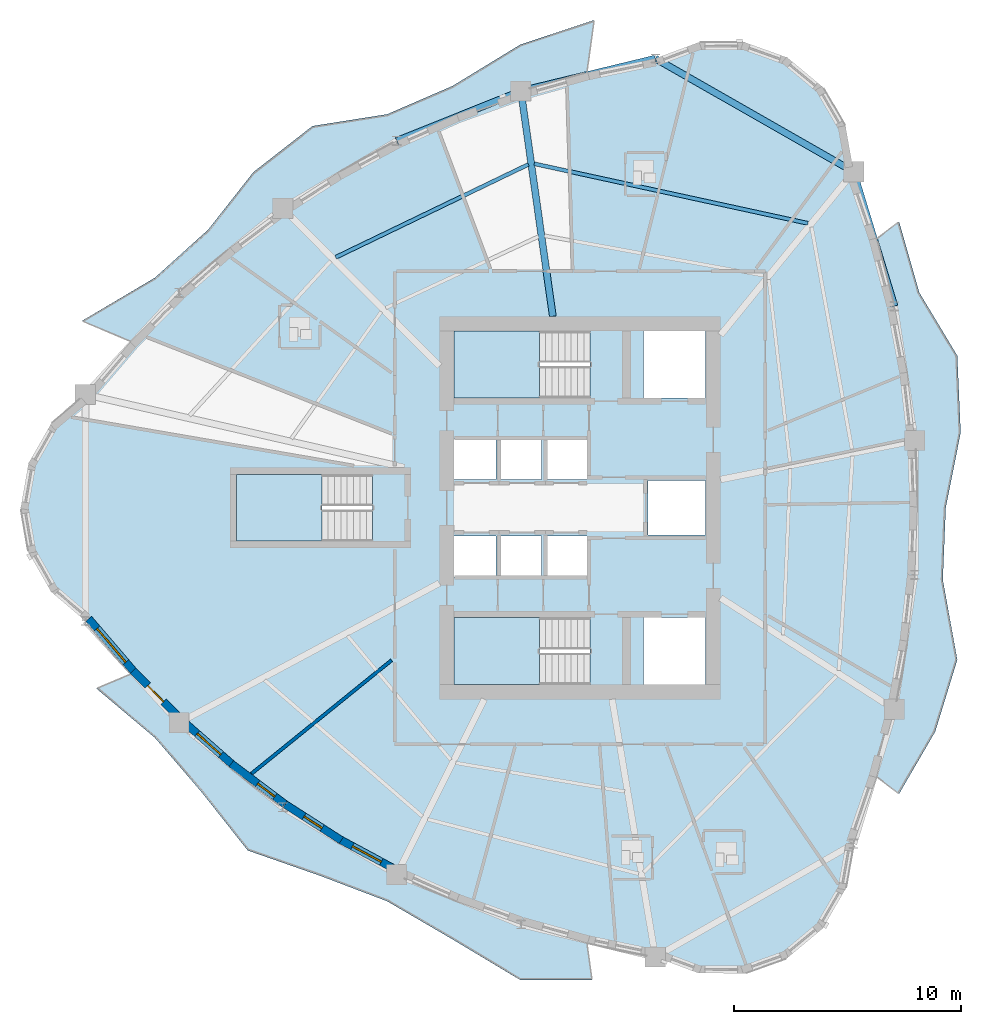
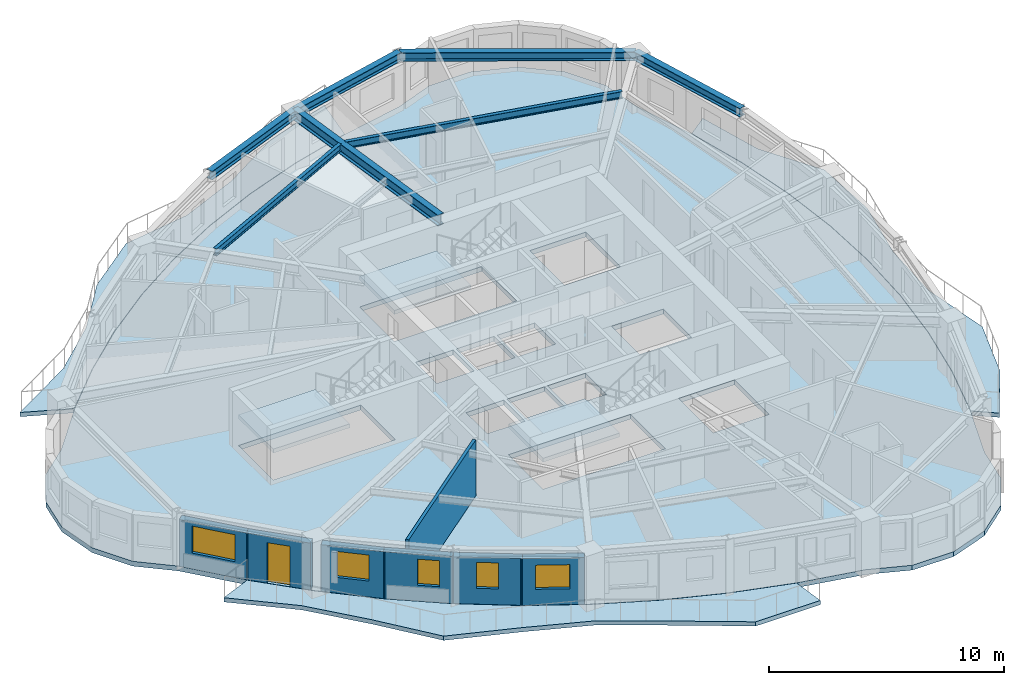
# One storey, part 2 of 12: 7 beams, 7 slabs, 7 walls, 5 windows, 1 door, 6 openings, 3 elements without a shape of their own.
"""IFC4 building model written with IfcOpenShell, lengths in metres."""

from ifc_helpers import new_model, si_unit, direction, frame, frame_2d, origin, origin_2d, place, context, subcontext, project, spatial, polyline, rectangle, i_section, outline, extrude, source, transform, mapped, material, layer, layer_set, material_profile, profile_set, type_object, element, fill, aggregate, save


model = new_model("IFC4")

# Units and contexts
model_context = context("Model", 3, precision=1e-05, world=origin(), true_north=direction((0.0, 1.0)))
body_context = subcontext(model_context, "Body", "Model", "MODEL_VIEW")
ifc_project = project(units=[si_unit("LENGTHUNIT", "METRE"), si_unit("AREAUNIT", "SQUARE_METRE"), si_unit("VOLUMEUNIT", "CUBIC_METRE"), si_unit("PLANEANGLEUNIT", "RADIAN"), si_unit("MASSUNIT", "GRAM", prefix="KILO")], contexts=[model_context])

# Site, building, storey
site_placement = place(None, origin())
site = spatial("IfcSite", under=ifc_project, at=site_placement, CompositionType="ELEMENT")
building_placement = place(site_placement, origin())
building = spatial("IfcBuilding", under=site, at=building_placement, Name="Qafzar Sky-Pleat Residences", CompositionType="ELEMENT")
storey_placement = place(building_placement, frame((0.0, 0.0, 124.800048828125)))
storey = spatial("IfcBuildingStorey", under=building, at=storey_placement, Name="L37", CompositionType="ELEMENT", Elevation=124.800048828125)

# Beams
ifc_material_1 = material(Name="Steel S355", Category="steel")
ifc_material_profile_1 = material_profile(ifc_material_1, i_section(OverallWidth=0.300048828125, OverallDepth=0.449951171875, WebThickness=0.013916015625, FlangeThickness=0.02587890625, FilletRadius=0.027099609375, at=origin_2d()), Name="HEB 450")
ifc_profile_set_1 = profile_set([ifc_material_profile_1], Name="Steel S355")
beam_type_1 = type_object("IfcBeamType", Name="BM-SPAN-HEB450", PredefinedType="SPANDREL", material=ifc_profile_set_1)
shared_shape_1 = source(origin(), body_context, "Body", "SweptSolid", [
    extrude(i_section(OverallWidth=0.300048828125, OverallDepth=0.449951171875, WebThickness=0.013916015625, FlangeThickness=0.02587890625, FilletRadius=0.027099609375, at=origin_2d()), origin(), (0.0, 0.0, 1.0), 6.1025390625),
])
beam_1_placement = place(storey_placement, frame((33.6767578125, 45.82373046875, 2.6728515625), z_axis=(-0.971900047669, -0.235393919506, 0.0), x_axis=(0.235393919506, -0.971900047669, 0.0)))
element("IfcBeam", 1, at=beam_1_placement, inside=storey, type_object=beam_type_1, Name="L37 Perimeter Spandrel Beam 14", PredefinedType="SPANDREL", context=body_context, shape_type="MappedRepresentation", body=[
    mapped(shared_shape_1, transform((0.0, 0.0, 0.0), x_axis=(1.0, 0.0, 0.0), y_axis=(0.0, 1.0, 0.0), z_axis=(0.0, 0.0, 1.0), scale=1.0)),
])
shared_shape_2 = source(origin(), body_context, "Body", "SweptSolid", [
    extrude(i_section(OverallWidth=0.300048828125, OverallDepth=0.449951171875, WebThickness=0.013916015625, FlangeThickness=0.02587890625, FilletRadius=0.027099609375, at=origin_2d()), origin(), (0.0, 0.0, 1.0), 5.906005859375),
])
beam_2_placement = place(storey_placement, frame((27.74560546875, 44.38720703125, 2.6728515625), z_axis=(-0.927965498351, -0.372666115807, 0.0), x_axis=(0.372666115807, -0.927965498351, 0.0)))
element("IfcBeam", 2, at=beam_2_placement, inside=storey, type_object=beam_type_1, Name="L37 Perimeter Spandrel Beam 15", PredefinedType="SPANDREL", context=body_context, shape_type="MappedRepresentation", body=[
    mapped(shared_shape_2, transform((0.0, 0.0, 0.0), x_axis=(1.0, 0.0, 0.0), y_axis=(0.0, 1.0, 0.0), z_axis=(0.0, 0.0, 1.0), scale=1.0)),
])
shared_shape_3 = source(origin(), body_context, "Body", "SweptSolid", [
    extrude(i_section(OverallWidth=0.300048828125, OverallDepth=0.449951171875, WebThickness=0.013916015625, FlangeThickness=0.02587890625, FilletRadius=0.027099609375, at=origin_2d()), origin(), (0.0, 0.0, 1.0), 10.072265625),
])
beam_3_placement = place(storey_placement, frame((42.422607421875, 40.82763671875, 2.6728515625), z_axis=(-0.868308765909, 0.496024079099, 0.0), x_axis=(-0.496024079099, -0.868308765909, 0.0)))
element("IfcBeam", 3, at=beam_3_placement, inside=storey, type_object=beam_type_1, Name="L37 Perimeter Spandrel Beam 13", PredefinedType="SPANDREL", context=body_context, shape_type="MappedRepresentation", body=[
    mapped(shared_shape_3, transform((0.0, 0.0, 0.0), x_axis=(1.0, 0.0, 0.0), y_axis=(0.0, 1.0, 0.0), z_axis=(0.0, 0.0, 1.0), scale=1.0)),
])
shared_shape_4 = source(origin(), body_context, "Body", "SweptSolid", [
    extrude(i_section(OverallWidth=0.300048828125, OverallDepth=0.449951171875, WebThickness=0.013916015625, FlangeThickness=0.02587890625, FilletRadius=0.027099609375, at=origin_2d()), origin(), (0.0, 0.0, 1.0), 6.19921875),
])
beam_4_placement = place(storey_placement, frame((44.2255859375, 34.896484375, 2.6728515625), z_axis=(-0.290843469518, 0.956770649758, 0.0), x_axis=(-0.956770649758, -0.290843469518, 0.0)))
element("IfcBeam", 4, at=beam_4_placement, inside=storey, type_object=beam_type_1, Name="L37 Perimeter Spandrel Beam 12", PredefinedType="SPANDREL", context=body_context, shape_type="MappedRepresentation", body=[
    mapped(shared_shape_4, transform((0.0, 0.0, 0.0), x_axis=(1.0, 0.0, 0.0), y_axis=(0.0, 1.0, 0.0), z_axis=(0.0, 0.0, 1.0), scale=1.0)),
])
ifc_material_profile_2 = material_profile(ifc_material_1, i_section(OverallWidth=0.300048828125, OverallDepth=0.550048828125, WebThickness=0.014892578125, FlangeThickness=0.029052734375, FilletRadius=0.027099609375, at=origin_2d()), Name="HEB 550")
ifc_profile_set_2 = profile_set([ifc_material_profile_2], Name="Steel S355")
beam_type_2 = type_object("IfcBeamType", Name="BM-GIRD-HEB550", PredefinedType="BEAM", material=ifc_profile_set_2)
shared_shape_5 = source(origin(), body_context, "Body", "SweptSolid", [
    extrude(i_section(OverallWidth=0.300048828125, OverallDepth=0.550048828125, WebThickness=0.014892578125, FlangeThickness=0.029052734375, FilletRadius=0.027099609375, at=origin_2d()), origin(), (0.0, 0.0, 1.0), 10.036376953125),
])
beam_5_placement = place(storey_placement, frame((27.74560546875, 44.38720703125, 2.623046875), z_axis=(0.14023611981, -0.99011808927, 0.0), x_axis=(0.99011808927, 0.14023611981, 0.0)))
element("IfcBeam", 5, at=beam_5_placement, inside=storey, type_object=beam_type_2, Name="L37 Radial Floor Girder 15", PredefinedType="BEAM", context=body_context, shape_type="MappedRepresentation", body=[
    mapped(shared_shape_5, transform((0.0, 0.0, 0.0), x_axis=(1.0, 0.0, 0.0), y_axis=(0.0, 1.0, 0.0), z_axis=(0.0, 0.0, 1.0), scale=1.0)),
])
ifc_material_profile_3 = material_profile(ifc_material_1, i_section(OverallWidth=0.169921875, OverallDepth=0.360107421875, WebThickness=0.008056640625, FlangeThickness=0.0126953125, FilletRadius=0.01806640625, at=origin_2d()), Name="IPE 360")
ifc_profile_set_3 = profile_set([ifc_material_profile_3], Name="Steel S355")
beam_type_3 = type_object("IfcBeamType", Name="BM-JST-IPE360", PredefinedType="JOIST", material=ifc_profile_set_3)
shared_shape_6 = source(origin(), body_context, "Body", "SweptSolid", [
    extrude(i_section(OverallWidth=0.169921875, OverallDepth=0.360107421875, WebThickness=0.008056640625, FlangeThickness=0.0126953125, FilletRadius=0.01806640625, at=origin_2d()), origin(), (0.0, 0.0, 1.0), 12.366455078125),
])
beam_6_placement = place(storey_placement, frame((40.411376953125, 38.54833984375, 2.718017578125), z_axis=(-0.977117170905, 0.212701749694, 0.0), x_axis=(-0.212701749694, -0.977117170905, 0.0)))
element("IfcBeam", 6, at=beam_6_placement, inside=storey, type_object=beam_type_3, Name="L37 Outer Secondary Floor Joist 7", PredefinedType="JOIST", context=body_context, shape_type="MappedRepresentation", body=[
    mapped(shared_shape_6, transform((0.0, 0.0, 0.0), x_axis=(1.0, 0.0, 0.0), y_axis=(0.0, 1.0, 0.0), z_axis=(0.0, 0.0, 1.0), scale=1.0)),
])
shared_shape_7 = source(origin(), body_context, "Body", "SweptSolid", [
    extrude(i_section(OverallWidth=0.169921875, OverallDepth=0.360107421875, WebThickness=0.008056640625, FlangeThickness=0.0126953125, FilletRadius=0.01806640625, at=origin_2d()), origin(), (0.0, 0.0, 1.0), 9.441162109375),
])
beam_7_placement = place(storey_placement, frame((28.07421875, 41.148681640625, 2.718017578125), z_axis=(-0.900788551734, -0.43425797064, 0.0), x_axis=(0.43425797064, -0.900788551734, 0.0)))
element("IfcBeam", 7, at=beam_7_placement, inside=storey, type_object=beam_type_3, Name="L37 Outer Secondary Floor Joist 8", PredefinedType="JOIST", context=body_context, shape_type="MappedRepresentation", body=[
    mapped(shared_shape_7, transform((0.0, 0.0, 0.0), x_axis=(1.0, 0.0, 0.0), y_axis=(0.0, 1.0, 0.0), z_axis=(0.0, 0.0, 1.0), scale=1.0)),
])

# Slabs
ifc_material_2 = material(Name="Concrete C40/50", Category="concrete")
ifc_layer_1 = layer(ifc_material_2, 0.219970703125)
ifc_layer_set_1 = layer_set([ifc_layer_1], Name="Concrete C40/50")
slab_type_1 = type_object("IfcSlabType", Name="SLAB-BAL-220", PredefinedType="USERDEFINED", material=ifc_layer_set_1)
slab_1_placement = place(storey_placement, frame((0.0, 0.0, -0.219970703125)))
element("IfcSlab", 8, at=slab_1_placement, inside=storey, type_object=slab_type_1, Name="L37 Pleated Stone Balcony 1", ObjectType="BALCONY", PredefinedType="USERDEFINED", context=body_context, shape_type="SweptSolid", body=[
    extrude(outline(polyline([(44.236083984375, 17.09765625), (44.80029296875, 20.06494140625), (45.138916015625, 23.032470703125), (45.251708984375, 26.0), (45.138916015625, 28.967529296875), (44.80029296875, 31.93505859375), (44.236083984375, 34.90234375), (43.4462890625, 37.869384765625), (44.427978515625, 38.623779296875), (45.321533203125, 35.49755859375), (46.998046875, 32.71142578125), (47.14697265625, 29.315185546875), (46.48974609375, 26.0), (46.35888671875, 22.8212890625), (46.998046875, 19.28857421875), (46.02294921875, 16.117919921875), (44.427978515625, 13.376220703125), (43.4462890625, 14.130615234375), (44.236083984375, 17.09765625)])), origin(), (0.0, 0.0, 1.0), 0.219970703125),
])
slab_2_placement = place(storey_placement, frame((0.0, 0.0, -0.219970703125)))
element("IfcSlab", 9, at=slab_2_placement, inside=storey, type_object=slab_type_1, Name="L37 Pleated Stone Balcony 2", ObjectType="BALCONY", PredefinedType="USERDEFINED", context=body_context, shape_type="SweptSolid", body=[
    extrude(outline(polyline([(27.745361328125, 44.3994140625), (24.947021484375, 43.394287109375), (22.26123046875, 42.197509765625), (19.68798828125, 40.8095703125), (17.22802734375, 39.22998046875), (14.880859375, 37.459228515625), (12.646484375, 35.4970703125), (10.525390625, 33.343505859375), (8.376708984375, 34.24658203125), (11.59375, 36.148193359375), (13.948486328125, 38.273681640625), (15.94140625, 40.810546875), (18.54736328125, 42.842041015625), (21.847900390625, 43.364501953125), (24.73291015625, 44.613525390625), (27.717041015625, 46.43701171875), (30.9755859375, 47.521728515625), (30.656494140625, 45.212890625), (27.745361328125, 44.3994140625)])), origin(), (0.0, 0.0, 1.0), 0.219970703125),
])
slab_3_placement = place(storey_placement, frame((0.0, 0.0, -0.219970703125)))
element("IfcSlab", 10, at=slab_3_placement, inside=storey, type_object=slab_type_1, Name="L37 Pleated Stone Balcony 3", ObjectType="BALCONY", PredefinedType="USERDEFINED", context=body_context, shape_type="SweptSolid", body=[
    extrude(outline(polyline([(12.646484375, 16.5029296875), (14.880859375, 14.540771484375), (17.22802734375, 12.77001953125), (19.68798828125, 11.1904296875), (22.26123046875, 9.802490234375), (24.947021484375, 8.605712890625), (27.745361328125, 7.6005859375), (30.656494140625, 6.787109375), (30.880859375, 5.164306640625), (27.711669921875, 5.162841796875), (24.663818359375, 6.992431640625), (21.847900390625, 8.635498046875), (18.886474609375, 9.761962890625), (15.688720703125, 10.87939453125), (13.647216796875, 13.463134765625), (11.59375, 15.851806640625), (9.015380859375, 18.021728515625), (10.525390625, 18.656494140625), (12.646484375, 16.5029296875)])), origin(), (0.0, 0.0, 1.0), 0.219970703125),
])
ifc_layer_2 = layer(ifc_material_2, 0.25)
ifc_layer_set_2 = layer_set([ifc_layer_2], Name="Concrete C40/50")
slab_type_2 = type_object("IfcSlabType", Name="SLAB-FLR-250", PredefinedType="FLOOR", material=ifc_layer_set_2)
slab_4_placement = place(storey_placement, frame((0.0, 0.0, -0.25)))
element("IfcSlab", 11, at=slab_4_placement, inside=storey, type_object=slab_type_2, Name="L37 Structural Floor Slab", PredefinedType="FLOOR", context=body_context, shape_type="SweptSolid", body=[
    extrude(outline(polyline([(8.52880859375, 30.99609375), (7.0087890625, 29.700927734375), (6.018310546875, 27.967041015625), (5.674560546875, 26.0), (6.018310546875, 24.032958984375), (7.0087890625, 22.299072265625), (8.52880859375, 21.00390625), (10.536376953125, 18.660888671875), (12.65673828125, 16.50927734375), (14.889892578125, 14.548583984375), (17.235595703125, 12.779296875), (19.694091796875, 11.200927734375), (22.26513671875, 9.813720703125), (24.948974609375, 8.61767578125), (27.74560546875, 7.61279296875), (30.65478515625, 6.798828125), (33.6767578125, 6.17626953125), (35.57177734375, 5.46826171875), (37.5947265625, 5.45458984375), (39.49951171875, 6.13623046875), (41.05419921875, 7.4306640625), (42.069580078125, 9.180419921875), (42.422607421875, 11.17236328125), (43.436767578125, 14.137939453125), (44.2255859375, 17.103515625), (44.7890625, 20.06884765625), (45.127197265625, 23.034423828125), (45.23974609375, 26.0), (45.127197265625, 28.965576171875), (44.7890625, 31.93115234375), (44.2255859375, 34.896484375), (43.436767578125, 37.862060546875), (42.422607421875, 40.82763671875), (42.069580078125, 42.819580078125), (41.05419921875, 44.5693359375), (39.49951171875, 45.86376953125), (37.5947265625, 46.54541015625), (35.57177734375, 46.53173828125), (33.6767578125, 45.82373046875), (30.65478515625, 45.201171875), (27.74560546875, 44.38720703125), (24.948974609375, 43.38232421875), (22.26513671875, 42.186279296875), (19.694091796875, 40.799072265625), (17.235595703125, 39.220703125), (14.889892578125, 37.451416015625), (12.65673828125, 35.49072265625), (10.536376953125, 33.339111328125), (8.52880859375, 30.99609375)]), holes=[polyline([(30.797119140625, 21.14990234375), (24.800048828125, 21.14990234375), (24.800048828125, 18.199951171875), (30.797119140625, 18.199951171875), (30.797119140625, 21.14990234375)]), polyline([(30.797119140625, 33.800048828125), (24.800048828125, 33.800048828125), (24.800048828125, 30.85009765625), (30.797119140625, 30.85009765625), (30.797119140625, 33.800048828125)]), polyline([(21.197021484375, 27.47509765625), (15.199951171875, 27.47509765625), (15.199951171875, 24.52490234375), (21.197021484375, 24.52490234375), (21.197021484375, 27.47509765625)]), polyline([(24.800048828125, 22.949951171875), (26.64990234375, 22.949951171875), (26.64990234375, 24.75), (24.800048828125, 24.75), (24.800048828125, 22.949951171875)]), polyline([(26.800048828125, 22.949951171875), (28.64990234375, 22.949951171875), (28.64990234375, 24.75), (26.800048828125, 24.75), (26.800048828125, 22.949951171875)]), polyline([(28.800048828125, 22.949951171875), (30.64990234375, 22.949951171875), (30.64990234375, 24.75), (28.800048828125, 24.75), (28.800048828125, 22.949951171875)]), polyline([(24.800048828125, 27.25), (26.64990234375, 27.25), (26.64990234375, 29.050048828125), (24.800048828125, 29.050048828125), (24.800048828125, 27.25)]), polyline([(26.800048828125, 27.25), (28.64990234375, 27.25), (28.64990234375, 29.050048828125), (26.800048828125, 29.050048828125), (26.800048828125, 27.25)]), polyline([(28.800048828125, 27.25), (30.64990234375, 27.25), (30.64990234375, 29.050048828125), (28.800048828125, 29.050048828125), (28.800048828125, 27.25)]), polyline([(33.14990234375, 18.199951171875), (35.89990234375, 18.199951171875), (35.89990234375, 21.14990234375), (33.14990234375, 21.14990234375), (33.14990234375, 18.199951171875)]), polyline([(33.14990234375, 30.85009765625), (35.89990234375, 30.85009765625), (35.89990234375, 33.800048828125), (33.14990234375, 33.800048828125), (33.14990234375, 30.85009765625)]), polyline([(33.35009765625, 24.800048828125), (35.89990234375, 24.800048828125), (35.89990234375, 27.199951171875), (33.35009765625, 27.199951171875), (33.35009765625, 24.800048828125)])]), origin(), (0.0, 0.0, 1.0), 0.25),
])

# Stair, slab
stair_type = type_object("IfcStairType", Name="STAIR-H320", PredefinedType="HALF_TURN_STAIR", material=ifc_material_2)
stair_1_placement = place(storey_placement, origin())
stair_1 = element("IfcStair", 12, at=stair_1_placement, inside=storey, type_object=stair_type, Name="L37 Protected Exit Stair ST1", PredefinedType="HALF_TURN_STAIR")
ifc_layer_3 = layer(ifc_material_2, 0.199951171875)
ifc_layer_set_3 = layer_set([ifc_layer_3], Name="Concrete C40/50")
slab_type_3 = type_object("IfcSlabType", Name="SLAB-LANDING-200", PredefinedType="LANDING", material=ifc_layer_set_3)
slab_5_placement = place(storey_placement, frame((0.0, 0.0, 1.39990234375)))
slab_5 = element("IfcSlab", 13, at=slab_5_placement, type_object=slab_type_3, Name="ST1 landing 1", PredefinedType="LANDING", context=body_context, shape_type="SweptSolid", body=[
    extrude(outline(polyline([(28.56005859375, 21.14990234375), (24.800048828125, 21.14990234375), (24.800048828125, 18.199951171875), (28.56005859375, 18.199951171875), (28.56005859375, 21.14990234375)])), origin(), (0.0, 0.0, 1.0), 0.199951171875),
])
aggregate(stair_1, [slab_5])

stair_2_placement = place(storey_placement, origin())
stair_2 = element("IfcStair", 14, at=stair_2_placement, inside=storey, type_object=stair_type, Name="L37 Protected Exit Stair ST2", PredefinedType="HALF_TURN_STAIR")
slab_6_placement = place(storey_placement, frame((0.0, 0.0, 1.39990234375)))
slab_6 = element("IfcSlab", 15, at=slab_6_placement, type_object=slab_type_3, Name="ST2 landing 1", PredefinedType="LANDING", context=body_context, shape_type="SweptSolid", body=[
    extrude(outline(polyline([(28.56005859375, 33.800048828125), (24.800048828125, 33.800048828125), (24.800048828125, 30.85009765625), (28.56005859375, 30.85009765625), (28.56005859375, 33.800048828125)])), origin(), (0.0, 0.0, 1.0), 0.199951171875),
])
aggregate(stair_2, [slab_6])

stair_3_placement = place(storey_placement, origin())
stair_3 = element("IfcStair", 16, at=stair_3_placement, inside=storey, type_object=stair_type, Name="L37 Protected Exit Stair ST3", PredefinedType="HALF_TURN_STAIR")
slab_7_placement = place(storey_placement, frame((0.0, 0.0, 1.39990234375)))
slab_7 = element("IfcSlab", 17, at=slab_7_placement, type_object=slab_type_3, Name="ST3 landing 1", PredefinedType="LANDING", context=body_context, shape_type="SweptSolid", body=[
    extrude(outline(polyline([(18.9599609375, 27.47509765625), (15.199951171875, 27.47509765625), (15.199951171875, 24.52490234375), (18.9599609375, 24.52490234375), (18.9599609375, 27.47509765625)])), origin(), (0.0, 0.0, 1.0), 0.199951171875),
])
aggregate(stair_3, [slab_7])

# Wall
ifc_material_3 = material(Name="Acoustic gypsum plasterboard partition", Category="gypsum")
ifc_layer_4 = layer(ifc_material_3, 0.14501953125)
ifc_layer_set_4 = layer_set([ifc_layer_4], Name="Acoustic gypsum plasterboard partition")
wall_type_1 = type_object("IfcWallType", Name="PART-UNIT-145", PredefinedType="PARTITIONING", material=ifc_layer_set_4)
wall_1_placement = place(storey_placement, frame((15.86328125, 14.27197265625, 0.0), z_axis=(0.0, 0.0, 1.0), x_axis=(0.77720694169, 0.629245079273, 0.0)))
element("IfcWall", 18, at=wall_1_placement, inside=storey, type_object=wall_type_1, Name="L37 Partition Wall PART-L37-PW-025", PredefinedType="PARTITIONING", context=body_context, shape_type="SweptSolid", body=[
    extrude(rectangle(XDim=7.94482421875, YDim=0.14501953125, at=frame_2d((3.972412109375, 0.0))), origin(), (0.0, 0.0, 1.0), 2.89990234375),
])

# Wall, opening, window
ifc_material_4 = material(Name="Precast concrete C40/50 with honed Riyadh limestone", Category="concrete")
ifc_layer_5 = layer(ifc_material_4, 0.340087890625)
ifc_layer_set_5 = layer_set([ifc_layer_5], Name="Precast concrete C40/50 with honed Riyadh limestone")
wall_type_2 = type_object("IfcWallType", Name="WALL-EXT-340", PredefinedType="SOLIDWALL", material=ifc_layer_set_5)
wall_2_placement = place(storey_placement, frame((8.6708984375, 21.09912109375, 0.0), z_axis=(0.0, 0.0, 1.0), x_axis=(0.65073305839, -0.759306582823, 0.0)))
wall_2 = element("IfcWall", 19, at=wall_2_placement, inside=storey, type_object=wall_type_2, Name="L37 Limestone Facade Wall 7", PredefinedType="SOLIDWALL", context=body_context, shape_type="SweptSolid", body=[
    extrude(rectangle(XDim=3.10302734375, YDim=0.340087890625, at=frame_2d((1.551513671875, 0.0))), origin(), (0.0, 0.0, 1.0), 2.429931640625),
])
opening_1_placement = place(wall_2_placement, frame((0.566650390625, 0.0, 0.820068359375)))
opening_1 = element("IfcOpeningElement", 20, at=opening_1_placement, cuts=wall_2, Name="Opening WN-08", PredefinedType="OPENING", context=body_context, shape_type="SweptSolid", body=[
    extrude(rectangle(XDim=1.949951171875, YDim=1.39990234375, at=frame_2d((0.97509765625, 0.699951171875))), frame((0.0, 0.18017578125, 0.0), z_axis=(0.0, -1.0, 0.0), x_axis=(1.0, 0.0, 0.0)), (0.0, 0.0, 1.0), 0.360107421875),
])
ifc_material_5 = material(Name="Solar-control low-E glass in bronze aluminium frame", Category="glass")
window_type_1 = type_object("IfcWindowType", Name="WIN-08", PartitioningType="DOUBLE_PANEL_VERTICAL", PredefinedType="WINDOW", material=ifc_material_5)
shared_shape_8 = source(origin(), body_context, "Body", "SweptSolid", [
    extrude(rectangle(XDim=1.949951171875, YDim=1.39990234375, at=frame_2d((0.97509765625, 0.699951171875))), frame((0.0, 0.030029296875, 0.0), z_axis=(0.0, -1.0, 0.0), x_axis=(1.0, 0.0, 0.0)), (0.0, 0.0, 1.0), 0.06005859375),
])
window_1_placement = place(opening_1_placement, origin())
window_1 = element("IfcWindow", 21, at=window_1_placement, inside=storey, type_object=window_type_1, Name="L37 Punched Facade Window 07", OverallHeight=1.39990234375, OverallWidth=1.949951171875, PartitioningType="SINGLE_PANEL", PredefinedType="WINDOW", context=body_context, shape_type="MappedRepresentation", body=[
    mapped(shared_shape_8, transform((0.0, 0.0, 0.0), x_axis=(1.0, 0.0, 0.0), y_axis=(0.0, 1.0, 0.0), z_axis=(0.0, 0.0, 1.0), scale=1.0)),
])
fill(opening_1, window_1)

# Wall, opening, door
wall_3_placement = place(storey_placement, frame((10.630859375, 18.807373046875, 0.0), z_axis=(0.0, 0.0, 1.0), x_axis=(0.701909586733, -0.712266054261, 0.0)))
wall_3 = element("IfcWall", 22, at=wall_3_placement, inside=storey, type_object=wall_type_2, Name="L37 Limestone Facade Wall 8", PredefinedType="SOLIDWALL", context=body_context, shape_type="SweptSolid", body=[
    extrude(rectangle(XDim=2.828857421875, YDim=0.340087890625, at=frame_2d((1.41455078125, 0.0))), origin(), (0.0, 0.0, 1.0), 2.429931640625),
])
opening_2_placement = place(wall_3_placement, frame((0.91455078125, 0.0, 0.0)))
opening_2 = element("IfcOpeningElement", 23, at=opening_2_placement, cuts=wall_3, Name="Opening ED-05", PredefinedType="OPENING", context=body_context, shape_type="SweptSolid", body=[
    extrude(rectangle(XDim=1.0, YDim=2.10009765625, at=frame_2d((0.5, 1.050048828125))), frame((0.0, 0.18017578125, 0.0), z_axis=(0.0, -1.0, 0.0), x_axis=(1.0, 0.0, 0.0)), (0.0, 0.0, 1.0), 0.360107421875),
])
ifc_material_6 = material(Name="Glazed bronze aluminium door", Category="aluminium")
door_type = type_object("IfcDoorType", Name="DR-BAL-1000", OperationType="NOTDEFINED", PredefinedType="DOOR", material=ifc_material_6)
shared_shape_9 = source(origin(), body_context, "Body", "SweptSolid", [
    extrude(rectangle(XDim=1.0, YDim=2.10009765625, at=frame_2d((0.5, 1.050048828125))), frame((0.0, 0.02490234375, 0.0), z_axis=(0.0, -1.0, 0.0), x_axis=(1.0, 0.0, 0.0)), (0.0, 0.0, 1.0), 0.050048828125),
])
door_placement = place(opening_2_placement, origin())
door = element("IfcDoor", 24, at=door_placement, inside=storey, type_object=door_type, Name="L37 Glazed Balcony Door 3", OperationType="SINGLE_SWING_LEFT", OverallHeight=2.10009765625, OverallWidth=1.0, PredefinedType="DOOR", context=body_context, shape_type="MappedRepresentation", body=[
    mapped(shared_shape_9, transform((0.0, 0.0, 0.0), x_axis=(1.0, 0.0, 0.0), y_axis=(0.0, 1.0, 0.0), z_axis=(0.0, 0.0, 1.0), scale=1.0)),
])
fill(opening_2, door)

# Wall, opening, window
wall_4_placement = place(storey_placement, frame((12.94189453125, 16.4853515625, 0.0), z_axis=(0.0, 0.0, 1.0), x_axis=(0.751427478967, -0.659815689305, 0.0)))
wall_4 = element("IfcWall", 25, at=wall_4_placement, inside=storey, type_object=wall_type_2, Name="L37 Limestone Facade Wall 9", PredefinedType="SOLIDWALL", context=body_context, shape_type="SweptSolid", body=[
    extrude(rectangle(XDim=2.779541015625, YDim=0.340087890625, at=frame_2d((1.3896484375, 0.0))), origin(), (0.0, 0.0, 1.0), 2.429931640625),
])
opening_3_placement = place(wall_4_placement, frame((0.684814453125, 0.0, 0.820068359375)))
opening_3 = element("IfcOpeningElement", 26, at=opening_3_placement, cuts=wall_4, Name="Opening WN-10", PredefinedType="OPENING", context=body_context, shape_type="SweptSolid", body=[
    extrude(rectangle(XDim=1.39990234375, YDim=1.35009765625, at=frame_2d((0.699951171875, 0.675048828125))), frame((0.0, 0.18017578125, 0.0), z_axis=(0.0, -1.0, 0.0), x_axis=(1.0, 0.0, 0.0)), (0.0, 0.0, 1.0), 0.360107421875),
])
window_type_2 = type_object("IfcWindowType", Name="WIN-10", PartitioningType="SINGLE_PANEL", PredefinedType="WINDOW", material=ifc_material_5)
shared_shape_10 = source(origin(), body_context, "Body", "SweptSolid", [
    extrude(rectangle(XDim=1.39990234375, YDim=1.35009765625, at=frame_2d((0.699951171875, 0.675048828125))), frame((0.0, 0.030029296875, 0.0), z_axis=(0.0, -1.0, 0.0), x_axis=(1.0, 0.0, 0.0)), (0.0, 0.0, 1.0), 0.06005859375),
])
window_2_placement = place(opening_3_placement, origin())
window_2 = element("IfcWindow", 27, at=window_2_placement, inside=storey, type_object=window_type_2, Name="L37 Punched Facade Window 09", OverallHeight=1.35009765625, OverallWidth=1.39990234375, PartitioningType="SINGLE_PANEL", PredefinedType="WINDOW", context=body_context, shape_type="MappedRepresentation", body=[
    mapped(shared_shape_10, transform((0.0, 0.0, 0.0), x_axis=(1.0, 0.0, 0.0), y_axis=(0.0, 1.0, 0.0), z_axis=(0.0, 0.0, 1.0), scale=1.0)),
])
fill(opening_3, window_2)

wall_5_placement = place(storey_placement, frame((14.9619140625, 14.707275390625, 0.0), z_axis=(0.0, 0.0, 1.0), x_axis=(0.798341968257, -0.602204368732, 0.0)))
wall_5 = element("IfcWall", 28, at=wall_5_placement, inside=storey, type_object=wall_type_2, Name="L37 Limestone Facade Wall 10", PredefinedType="SOLIDWALL", context=body_context, shape_type="SweptSolid", body=[
    extrude(rectangle(XDim=2.956298828125, YDim=0.340087890625, at=frame_2d((1.47802734375, 0.0))), origin(), (0.0, 0.0, 1.0), 2.429931640625),
])
opening_4_placement = place(wall_5_placement, frame((1.459716796875, 0.0, 0.820068359375)))
opening_4 = element("IfcOpeningElement", 29, at=opening_4_placement, cuts=wall_5, Name="Opening WN-12", PredefinedType="OPENING", context=body_context, shape_type="SweptSolid", body=[
    extrude(rectangle(XDim=0.949951171875, YDim=1.35009765625, at=frame_2d((0.47509765625, 0.675048828125))), frame((0.0, 0.18017578125, 0.0), z_axis=(0.0, -1.0, 0.0), x_axis=(1.0, 0.0, 0.0)), (0.0, 0.0, 1.0), 0.360107421875),
])
window_type_3 = type_object("IfcWindowType", Name="WIN-12", PartitioningType="SINGLE_PANEL", PredefinedType="WINDOW", material=ifc_material_5)
shared_shape_11 = source(origin(), body_context, "Body", "SweptSolid", [
    extrude(rectangle(XDim=0.949951171875, YDim=1.35009765625, at=frame_2d((0.47509765625, 0.675048828125))), frame((0.0, 0.030029296875, 0.0), z_axis=(0.0, -1.0, 0.0), x_axis=(1.0, 0.0, 0.0)), (0.0, 0.0, 1.0), 0.06005859375),
])
window_3_placement = place(opening_4_placement, origin())
window_3 = element("IfcWindow", 30, at=window_3_placement, inside=storey, type_object=window_type_3, Name="L37 Punched Facade Window 10-2", OverallHeight=1.35009765625, OverallWidth=0.949951171875, PartitioningType="SINGLE_PANEL", PredefinedType="WINDOW", context=body_context, shape_type="MappedRepresentation", body=[
    mapped(shared_shape_11, transform((0.0, 0.0, 0.0), x_axis=(1.0, 0.0, 0.0), y_axis=(0.0, 1.0, 0.0), z_axis=(0.0, 0.0, 1.0), scale=1.0)),
])
fill(opening_4, window_3)

wall_6_placement = place(storey_placement, frame((17.34423828125, 12.91162109375, 0.0), z_axis=(0.0, 0.0, 1.0), x_axis=(0.841496750769, -0.540262175657, 0.0)))
wall_6 = element("IfcWall", 31, at=wall_6_placement, inside=storey, type_object=wall_type_2, Name="L37 Limestone Facade Wall 11", PredefinedType="SOLIDWALL", context=body_context, shape_type="SweptSolid", body=[
    extrude(rectangle(XDim=2.939453125, YDim=0.340087890625, at=frame_2d((1.4697265625, 0.0))), origin(), (0.0, 0.0, 1.0), 2.429931640625),
])
opening_5_placement = place(wall_6_placement, frame((0.984619140625, 0.0, 0.820068359375)))
opening_5 = element("IfcOpeningElement", 32, at=opening_5_placement, cuts=wall_6, Name="Opening WN-12", PredefinedType="OPENING", context=body_context, shape_type="SweptSolid", body=[
    extrude(rectangle(XDim=0.949951171875, YDim=1.35009765625, at=frame_2d((0.47509765625, 0.675048828125))), frame((0.0, 0.18017578125, 0.0), z_axis=(0.0, -1.0, 0.0), x_axis=(1.0, 0.0, 0.0)), (0.0, 0.0, 1.0), 0.360107421875),
])
window_4_placement = place(opening_5_placement, origin())
window_4 = element("IfcWindow", 33, at=window_4_placement, inside=storey, type_object=window_type_3, Name="L37 Punched Facade Window 11", OverallHeight=1.35009765625, OverallWidth=0.949951171875, PartitioningType="SINGLE_PANEL", PredefinedType="WINDOW", context=body_context, shape_type="MappedRepresentation", body=[
    mapped(shared_shape_11, transform((0.0, 0.0, 0.0), x_axis=(1.0, 0.0, 0.0), y_axis=(0.0, 1.0, 0.0), z_axis=(0.0, 0.0, 1.0), scale=1.0)),
])
fill(opening_5, window_4)

wall_7_placement = place(storey_placement, frame((19.7412109375, 11.36865234375, 0.0), z_axis=(0.0, 0.0, 1.0), x_axis=(0.88007734826, -0.474830349788, 0.0)))
wall_7 = element("IfcWall", 34, at=wall_7_placement, inside=storey, type_object=wall_type_2, Name="L37 Limestone Facade Wall 12", PredefinedType="SOLIDWALL", context=body_context, shape_type="SweptSolid", body=[
    extrude(rectangle(XDim=2.729736328125, YDim=0.340087890625, at=frame_2d((1.36474609375, 0.0))), origin(), (0.0, 0.0, 1.0), 2.429931640625),
])
opening_6_placement = place(wall_7_placement, frame((0.644775390625, 0.0, 0.820068359375)))
opening_6 = element("IfcOpeningElement", 35, at=opening_6_placement, cuts=wall_7, Name="Opening WN-15", PredefinedType="OPENING", context=body_context, shape_type="SweptSolid", body=[
    extrude(rectangle(XDim=1.449951171875, YDim=1.25, at=frame_2d((0.72509765625, 0.625))), frame((0.0, 0.18017578125, 0.0), z_axis=(0.0, -1.0, 0.0), x_axis=(1.0, 0.0, 0.0)), (0.0, 0.0, 1.0), 0.360107421875),
])
window_type_4 = type_object("IfcWindowType", Name="WIN-15", PartitioningType="SINGLE_PANEL", PredefinedType="WINDOW", material=ifc_material_5)
shared_shape_12 = source(origin(), body_context, "Body", "SweptSolid", [
    extrude(rectangle(XDim=1.449951171875, YDim=1.25, at=frame_2d((0.72509765625, 0.625))), frame((0.0, 0.030029296875, 0.0), z_axis=(0.0, -1.0, 0.0), x_axis=(1.0, 0.0, 0.0)), (0.0, 0.0, 1.0), 0.06005859375),
])
window_5_placement = place(opening_6_placement, origin())
window_5 = element("IfcWindow", 36, at=window_5_placement, inside=storey, type_object=window_type_4, Name="L37 Punched Facade Window 12", OverallHeight=1.25, OverallWidth=1.449951171875, PartitioningType="SINGLE_PANEL", PredefinedType="WINDOW", context=body_context, shape_type="MappedRepresentation", body=[
    mapped(shared_shape_12, transform((0.0, 0.0, 0.0), x_axis=(1.0, 0.0, 0.0), y_axis=(0.0, 1.0, 0.0), z_axis=(0.0, 0.0, 1.0), scale=1.0)),
])
fill(opening_6, window_5)

save(model, "model.ifc")
